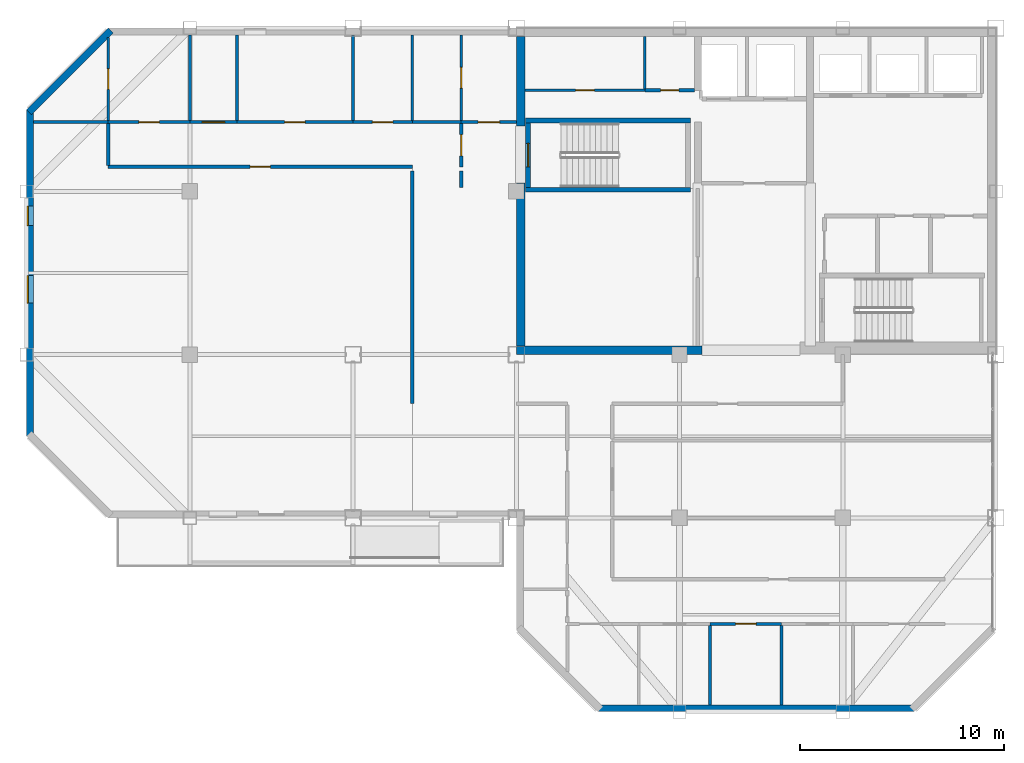
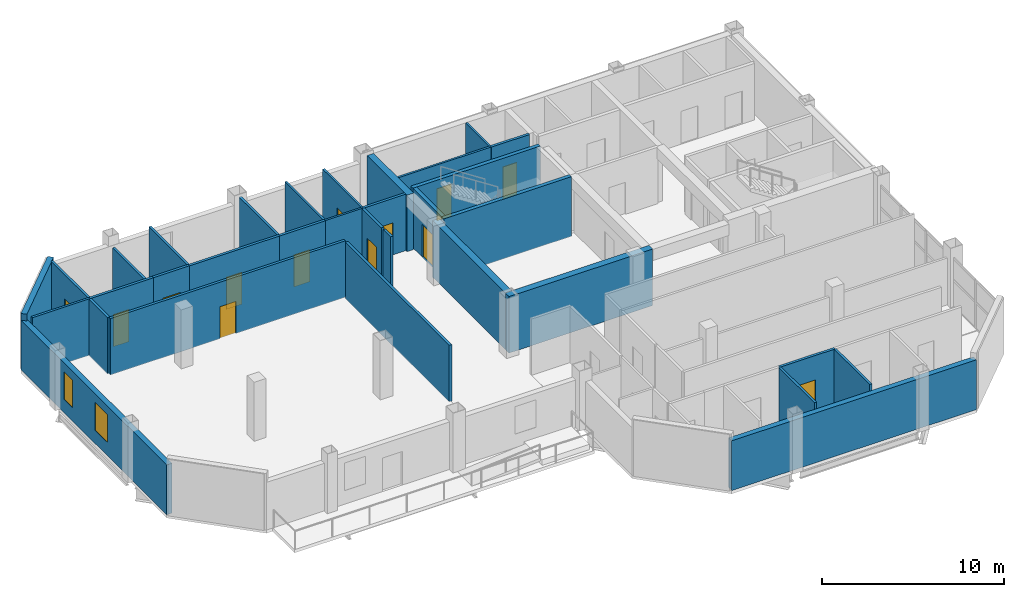
# One storey, part 8 of 13: 33 walls, 13 doors, 2 windows, 15 openings.
"""IFC4 building model written with IfcOpenShell, lengths in metres."""

from ifc_helpers import new_model, si_unit, direction, frame, frame_2d, origin, place, context, subcontext, project, spatial, rectangle, extrude, material, layer, layer_set, type_object, element, fill, save


model = new_model("IFC4")

# Units and contexts
model_context = context("Model", 3, precision=1e-05, world=origin(), true_north=direction((0.0, 1.0)))
body_context = subcontext(model_context, "Body", "Model", "MODEL_VIEW")
ifc_project = project(units=[si_unit("LENGTHUNIT", "METRE"), si_unit("AREAUNIT", "SQUARE_METRE"), si_unit("VOLUMEUNIT", "CUBIC_METRE"), si_unit("PLANEANGLEUNIT", "RADIAN"), si_unit("MASSUNIT", "GRAM", prefix="KILO")], contexts=[model_context])

# Site, building, storey
site_placement = place(None, origin())
site = spatial("IfcSite", under=ifc_project, at=site_placement, CompositionType="ELEMENT")
building_placement = place(site_placement, origin())
building = spatial("IfcBuilding", under=site, at=building_placement, Name="Qianrong Seaharbour Tower", CompositionType="ELEMENT")
storey_placement = place(building_placement, frame((0.0, 0.0, 291.199951171875)))
storey = spatial("IfcBuildingStorey", under=building, at=storey_placement, Name="L70", CompositionType="ELEMENT", Elevation=291.199951171875)

# Walls
ifc_material_1 = material(Name="Concrete C50/60", Category="concrete")
ifc_layer_1 = layer(ifc_material_1, 0.419921875)
ifc_layer_set_1 = layer_set([ifc_layer_1], Name="Concrete C50/60")
wall_type_1 = type_object("IfcWallType", Name="WALL-CORE-420", PredefinedType="SHEAR", material=ifc_layer_set_1)
wall_1_placement = place(storey_placement, frame((40.7099609375, 36.419921875, 0.0), z_axis=(0.0, 0.0, 1.0), x_axis=(0.0, 1.0, 0.0)))
element("IfcWall", 1, at=wall_1_placement, inside=storey, type_object=wall_type_1, Name="L70 West Core Shear Wall South", PredefinedType="SHEAR", context=body_context, shape_type="SweptSolid", body=[
    extrude(rectangle(XDim=7.97998046875, YDim=0.419921875, at=frame_2d((3.989990234375, 0.0))), origin(), (0.0, 0.0, 1.0), 3.78515625),
])
wall_2_placement = place(storey_placement, frame((40.7099609375, 47.199951171875, 0.0), z_axis=(0.0, 0.0, 1.0), x_axis=(0.0, 1.0, 0.0)))
element("IfcWall", 2, at=wall_2_placement, inside=storey, type_object=wall_type_1, Name="L70 West Core Shear Wall North", PredefinedType="SHEAR", context=body_context, shape_type="SweptSolid", body=[
    extrude(rectangle(XDim=4.380126953125, YDim=0.419921875, at=frame_2d((2.18994140625, 0.0))), origin(), (0.0, 0.0, 1.0), 3.78515625),
])
wall_3_placement = place(storey_placement, frame((40.5, 36.2099609375, 0.0), z_axis=(0.0, 0.0, 1.0), x_axis=(1.0, 0.0, 0.0)))
element("IfcWall", 3, at=wall_3_placement, inside=storey, type_object=wall_type_1, Name="L70 South Core Shear Wall S1", PredefinedType="SHEAR", context=body_context, shape_type="SweptSolid", body=[
    extrude(rectangle(XDim=9.10009765625, YDim=0.419921875, at=frame_2d((4.550048828125, 0.0))), origin(), (0.0, 0.0, 1.0), 3.78515625),
])

# Wall, opening, door
ifc_material_2 = material(Name="Fire-rated acoustic gypsum board partition")
ifc_layer_2 = layer(ifc_material_2, 0.1650390625)
ifc_layer_set_2 = layer_set([ifc_layer_2], Name="Fire-rated acoustic gypsum board partition")
wall_type_2 = type_object("IfcWallType", Name="WALL-CORR-PART-165", PredefinedType="PARTITIONING", material=ifc_layer_set_2)
wall_4_placement = place(storey_placement, frame((37.800048828125, 47.39990234375, 0.0), z_axis=(0.0, 0.0, 1.0), x_axis=(1.0, 0.0, 0.0)))
wall_4 = element("IfcWall", 4, at=wall_4_placement, inside=storey, type_object=wall_type_2, Name="L70 Interior Partition Wall 001", PredefinedType="PARTITIONING", context=body_context, shape_type="SweptSolid", body=[
    extrude(rectangle(XDim=2.699951171875, YDim=0.1650390625, at=frame_2d((1.35009765625, 0.0))), origin(), (0.0, 0.0, 1.0), 3.78515625),
])
opening_1_placement = place(wall_4_placement, frame((0.824951171875, 0.0, 0.0)))
opening_1 = element("IfcOpeningElement", 5, at=opening_1_placement, cuts=wall_4, Name="Opening DC-01", PredefinedType="OPENING", context=body_context, shape_type="SweptSolid", body=[
    extrude(rectangle(XDim=1.050048828125, YDim=2.14990234375, at=frame_2d((0.52490234375, 1.074951171875))), frame((0.0, 0.092529296875, 0.0), z_axis=(0.0, -1.0, 0.0), x_axis=(1.0, 0.0, 0.0)), (0.0, 0.0, 1.0), 0.18505859375),
])
ifc_material_3 = material(Name="Acoustic timber and galvanized steel fire door assembly", Category="steel")
door_type_1 = type_object("IfcDoorType", Name="DOOR-CORR-FD60-1050x2150", OperationType="NOTDEFINED", PredefinedType="DOOR", material=ifc_material_3)
door_1_placement = place(opening_1_placement, origin())
door_1 = element("IfcDoor", 6, at=door_1_placement, inside=storey, type_object=door_type_1, Name="L70 Smokeproof Stair Vestibule ST-1 Door", OperationType="SINGLE_SWING_LEFT", OverallHeight=2.14990234375, OverallWidth=1.050048828125, PredefinedType="DOOR", context=body_context, shape_type="SweptSolid", body=[
    extrude(rectangle(XDim=1.050048828125, YDim=2.14990234375, at=frame_2d((0.52490234375, 1.074951171875))), frame((0.0, 0.02490234375, 0.0), z_axis=(0.0, -1.0, 0.0), x_axis=(1.0, 0.0, 0.0)), (0.0, 0.0, 1.0), 0.050048828125),
])
fill(opening_1, door_1)

wall_5_placement = place(storey_placement, frame((37.800048828125, 45.199951171875, 0.0), z_axis=(0.0, 0.0, 1.0), x_axis=(0.0, 1.0, 0.0)))
wall_5 = element("IfcWall", 7, at=wall_5_placement, inside=storey, type_object=wall_type_2, Name="L70 Interior Partition Wall 002", PredefinedType="PARTITIONING", context=body_context, shape_type="SweptSolid", body=[
    extrude(rectangle(XDim=2.12548828125, YDim=0.1650390625, at=frame_2d((1.062744140625, 0.0))), origin(), (0.0, 0.0, 1.0), 3.78515625),
])
opening_2_placement = place(wall_5_placement, frame((0.537841796875, 0.0, 0.0)))
opening_2 = element("IfcOpeningElement", 8, at=opening_2_placement, cuts=wall_5, Name="Opening DC-01", PredefinedType="OPENING", context=body_context, shape_type="SweptSolid", body=[
    extrude(rectangle(XDim=1.050048828125, YDim=2.14990234375, at=frame_2d((0.52490234375, 1.074951171875))), frame((0.0, 0.092529296875, 0.0), z_axis=(0.0, -1.0, 0.0), x_axis=(1.0, 0.0, 0.0)), (0.0, 0.0, 1.0), 0.18505859375),
])
door_2_placement = place(opening_2_placement, origin())
door_2 = element("IfcDoor", 9, at=door_2_placement, inside=storey, type_object=door_type_1, Name="L70 Smokeproof Stair Vestibule ST-1 Door", OperationType="SINGLE_SWING_RIGHT", OverallHeight=2.14990234375, OverallWidth=1.050048828125, PredefinedType="DOOR", context=body_context, shape_type="SweptSolid", body=[
    extrude(rectangle(XDim=1.050048828125, YDim=2.14990234375, at=frame_2d((0.52490234375, 1.074951171875))), frame((0.0, 0.02490234375, 0.0), z_axis=(0.0, -1.0, 0.0), x_axis=(1.0, 0.0, 0.0)), (0.0, 0.0, 1.0), 0.050048828125),
])
fill(opening_2, door_2)

# Wall
wall_6_placement = place(storey_placement, frame((37.800048828125, 44.199951171875, 0.0), z_axis=(0.0, 0.0, 1.0), x_axis=(0.0, 1.0, 0.0)))
element("IfcWall", 10, at=wall_6_placement, inside=storey, type_object=wall_type_2, Name="L70 Interior Partition Wall 003", PredefinedType="PARTITIONING", context=body_context, shape_type="SweptSolid", body=[
    extrude(rectangle(XDim=0.800048828125, YDim=0.1650390625, at=frame_2d((0.39990234375, 0.0))), origin(), (0.0, 0.0, 1.0), 3.78515625),
])

# Wall, opening, door
wall_7_placement = place(storey_placement, frame((46.800048828125, 48.949951171875, 0.0), z_axis=(0.0, 0.0, 1.0), x_axis=(1.0, 0.0, 0.0)))
wall_7 = element("IfcWall", 11, at=wall_7_placement, inside=storey, type_object=wall_type_2, Name="L70 Interior Partition Wall 008", PredefinedType="PARTITIONING", context=body_context, shape_type="SweptSolid", body=[
    extrude(rectangle(XDim=2.432861328125, YDim=0.1650390625, at=frame_2d((1.21630859375, 0.0))), origin(), (0.0, 0.0, 1.0), 3.78515625),
])
opening_3_placement = place(wall_7_placement, frame((0.7666015625, 0.0, 0.0)))
opening_3 = element("IfcOpeningElement", 12, at=opening_3_placement, cuts=wall_7, Name="Opening DS-01", PredefinedType="OPENING", context=body_context, shape_type="SweptSolid", body=[
    extrude(rectangle(XDim=0.89990234375, YDim=2.14990234375, at=frame_2d((0.449951171875, 1.074951171875))), frame((0.0, 0.092529296875, 0.0), z_axis=(0.0, -1.0, 0.0), x_axis=(1.0, 0.0, 0.0)), (0.0, 0.0, 1.0), 0.18505859375),
])
door_type_2 = type_object("IfcDoorType", Name="DOOR-STORE-900x2150", OperationType="NOTDEFINED", PredefinedType="DOOR", material=ifc_material_3)
door_3_placement = place(opening_3_placement, origin())
door_3 = element("IfcDoor", 13, at=door_3_placement, inside=storey, type_object=door_type_2, Name="L70 Janitor Store Room Door", OperationType="SINGLE_SWING_LEFT", OverallHeight=2.14990234375, OverallWidth=0.89990234375, PredefinedType="DOOR", context=body_context, shape_type="SweptSolid", body=[
    extrude(rectangle(XDim=0.89990234375, YDim=2.14990234375, at=frame_2d((0.449951171875, 1.074951171875))), frame((0.0, 0.02490234375, 0.0), z_axis=(0.0, -1.0, 0.0), x_axis=(1.0, 0.0, 0.0)), (0.0, 0.0, 1.0), 0.050048828125),
])
fill(opening_3, door_3)

wall_8_placement = place(storey_placement, frame((35.39990234375, 45.199951171875, 0.0), z_axis=(0.0, 0.0, 1.0), x_axis=(-1.0, 0.0, 0.0)))
wall_8 = element("IfcWall", 14, at=wall_8_placement, inside=storey, type_object=wall_type_2, Name="L70 Interior Partition Wall 018", PredefinedType="PARTITIONING", context=body_context, shape_type="SweptSolid", body=[
    extrude(rectangle(XDim=14.89990234375, YDim=0.1650390625, at=frame_2d((7.449951171875, 0.0))), origin(), (0.0, 0.0, 1.0), 3.78515625),
])
opening_4_placement = place(wall_8_placement, frame((6.949951171875, 0.0, 0.0)))
opening_4 = element("IfcOpeningElement", 15, at=opening_4_placement, cuts=wall_8, Name="Opening DO-01", PredefinedType="OPENING", context=body_context, shape_type="SweptSolid", body=[
    extrude(rectangle(XDim=1.0, YDim=2.14990234375, at=frame_2d((0.5, 1.074951171875))), frame((0.0, 0.092529296875, 0.0), z_axis=(0.0, -1.0, 0.0), x_axis=(1.0, 0.0, 0.0)), (0.0, 0.0, 1.0), 0.18505859375),
])
door_type_3 = type_object("IfcDoorType", Name="DOOR-OFFICE-1000x2150", OperationType="NOTDEFINED", PredefinedType="DOOR", material=ifc_material_3)
door_4_placement = place(opening_4_placement, origin())
door_4 = element("IfcDoor", 16, at=door_4_placement, inside=storey, type_object=door_type_3, Name="L70 Open-Plan Office Door", OperationType="SINGLE_SWING_LEFT", OverallHeight=2.14990234375, OverallWidth=1.0, PredefinedType="DOOR", context=body_context, shape_type="SweptSolid", body=[
    extrude(rectangle(XDim=1.0, YDim=2.14990234375, at=frame_2d((0.5, 1.074951171875))), frame((0.0, 0.02490234375, 0.0), z_axis=(0.0, -1.0, 0.0), x_axis=(1.0, 0.0, 0.0)), (0.0, 0.0, 1.0), 0.050048828125),
])
fill(opening_4, door_4)

# Wall
wall_9_placement = place(storey_placement, frame((20.5, 45.2744140625, 0.0), z_axis=(0.0, 0.0, 1.0), x_axis=(0.0, 1.0, 0.0)))
element("IfcWall", 17, at=wall_9_placement, inside=storey, type_object=wall_type_2, Name="L70 Interior Partition Wall 019", PredefinedType="PARTITIONING", context=body_context, shape_type="SweptSolid", body=[
    extrude(rectangle(XDim=2.051025390625, YDim=0.1650390625, at=frame_2d((1.025390625, 0.0))), origin(), (0.0, 0.0, 1.0), 3.78515625),
])

# Wall, opening, door
wall_10_placement = place(storey_placement, frame((20.5, 47.39990234375, 0.0), z_axis=(0.0, 0.0, 1.0), x_axis=(1.0, 0.0, 0.0)))
wall_10 = element("IfcWall", 18, at=wall_10_placement, inside=storey, type_object=wall_type_2, Name="L70 Interior Partition Wall 020", PredefinedType="PARTITIONING", context=body_context, shape_type="SweptSolid", body=[
    extrude(rectangle(XDim=4.0, YDim=0.1650390625, at=frame_2d((2.0, 0.0))), origin(), (0.0, 0.0, 1.0), 3.78515625),
])
opening_5_placement = place(wall_10_placement, frame((1.5, 0.0, 0.0)))
opening_5 = element("IfcOpeningElement", 19, at=opening_5_placement, cuts=wall_10, Name="Opening DO-01", PredefinedType="OPENING", context=body_context, shape_type="SweptSolid", body=[
    extrude(rectangle(XDim=1.0, YDim=2.14990234375, at=frame_2d((0.5, 1.074951171875))), frame((0.0, 0.092529296875, 0.0), z_axis=(0.0, -1.0, 0.0), x_axis=(1.0, 0.0, 0.0)), (0.0, 0.0, 1.0), 0.18505859375),
])
door_5_placement = place(opening_5_placement, origin())
door_5 = element("IfcDoor", 20, at=door_5_placement, inside=storey, type_object=door_type_3, Name="L70 Focus Room 2 Door", OperationType="SINGLE_SWING_LEFT", OverallHeight=2.14990234375, OverallWidth=1.0, PredefinedType="DOOR", context=body_context, shape_type="SweptSolid", body=[
    extrude(rectangle(XDim=1.0, YDim=2.14990234375, at=frame_2d((0.5, 1.074951171875))), frame((0.0, 0.02490234375, 0.0), z_axis=(0.0, -1.0, 0.0), x_axis=(1.0, 0.0, 0.0)), (0.0, 0.0, 1.0), 0.050048828125),
])
fill(opening_5, door_5)

wall_11_placement = place(storey_placement, frame((24.5, 47.39990234375, 0.0), z_axis=(0.0, 0.0, 1.0), x_axis=(1.0, 0.0, 0.0)))
wall_11 = element("IfcWall", 21, at=wall_11_placement, inside=storey, type_object=wall_type_2, Name="L70 Interior Partition Wall 021", PredefinedType="PARTITIONING", context=body_context, shape_type="SweptSolid", body=[
    extrude(rectangle(XDim=2.300048828125, YDim=0.1650390625, at=frame_2d((1.14990234375, 0.0))), origin(), (0.0, 0.0, 1.0), 3.78515625),
])
opening_6_placement = place(wall_11_placement, frame((0.60009765625, 0.0, 0.0)))
opening_6 = element("IfcOpeningElement", 22, at=opening_6_placement, cuts=wall_11, Name="Opening DM-01", PredefinedType="OPENING", context=body_context, shape_type="SweptSolid", body=[
    extrude(rectangle(XDim=1.10009765625, YDim=2.199951171875, at=frame_2d((0.550048828125, 1.10009765625))), frame((0.0, 0.092529296875, 0.0), z_axis=(0.0, -1.0, 0.0), x_axis=(1.0, 0.0, 0.0)), (0.0, 0.0, 1.0), 0.18505859375),
])
door_type_4 = type_object("IfcDoorType", Name="DOOR-MEET-1100x2200", OperationType="NOTDEFINED", PredefinedType="DOOR", material=ifc_material_3)
door_6_placement = place(opening_6_placement, origin())
door_6 = element("IfcDoor", 23, at=door_6_placement, inside=storey, type_object=door_type_4, Name="L70 Meeting Room 3 Door", OperationType="SINGLE_SWING_RIGHT", OverallHeight=2.199951171875, OverallWidth=1.10009765625, PredefinedType="DOOR", context=body_context, shape_type="SweptSolid", body=[
    extrude(rectangle(XDim=1.10009765625, YDim=2.199951171875, at=frame_2d((0.550048828125, 1.10009765625))), frame((0.0, 0.02490234375, 0.0), z_axis=(0.0, -1.0, 0.0), x_axis=(1.0, 0.0, 0.0)), (0.0, 0.0, 1.0), 0.050048828125),
])
fill(opening_6, door_6)

wall_12_placement = place(storey_placement, frame((26.800048828125, 47.39990234375, 0.0), z_axis=(0.0, 0.0, 1.0), x_axis=(1.0, 0.0, 0.0)))
wall_12 = element("IfcWall", 24, at=wall_12_placement, inside=storey, type_object=wall_type_2, Name="L70 Interior Partition Wall 022", PredefinedType="PARTITIONING", context=body_context, shape_type="SweptSolid", body=[
    extrude(rectangle(XDim=5.699951171875, YDim=0.1650390625, at=frame_2d((2.85009765625, 0.0))), origin(), (0.0, 0.0, 1.0), 3.78515625),
])
opening_7_placement = place(wall_12_placement, frame((2.35009765625, 0.0, 0.0)))
opening_7 = element("IfcOpeningElement", 25, at=opening_7_placement, cuts=wall_12, Name="Opening DO-01", PredefinedType="OPENING", context=body_context, shape_type="SweptSolid", body=[
    extrude(rectangle(XDim=1.0, YDim=2.14990234375, at=frame_2d((0.5, 1.074951171875))), frame((0.0, 0.092529296875, 0.0), z_axis=(0.0, -1.0, 0.0), x_axis=(1.0, 0.0, 0.0)), (0.0, 0.0, 1.0), 0.18505859375),
])
door_7_placement = place(opening_7_placement, origin())
door_7 = element("IfcDoor", 26, at=door_7_placement, inside=storey, type_object=door_type_3, Name="L70 Executive Office 4 Door", OperationType="SINGLE_SWING_LEFT", OverallHeight=2.14990234375, OverallWidth=1.0, PredefinedType="DOOR", context=body_context, shape_type="SweptSolid", body=[
    extrude(rectangle(XDim=1.0, YDim=2.14990234375, at=frame_2d((0.5, 1.074951171875))), frame((0.0, 0.02490234375, 0.0), z_axis=(0.0, -1.0, 0.0), x_axis=(1.0, 0.0, 0.0)), (0.0, 0.0, 1.0), 0.050048828125),
])
fill(opening_7, door_7)

wall_13_placement = place(storey_placement, frame((32.5, 47.39990234375, 0.0), z_axis=(0.0, 0.0, 1.0), x_axis=(1.0, 0.0, 0.0)))
wall_13 = element("IfcWall", 27, at=wall_13_placement, inside=storey, type_object=wall_type_2, Name="L70 Interior Partition Wall 023", PredefinedType="PARTITIONING", context=body_context, shape_type="SweptSolid", body=[
    extrude(rectangle(XDim=2.89990234375, YDim=0.1650390625, at=frame_2d((1.449951171875, 0.0))), origin(), (0.0, 0.0, 1.0), 3.78515625),
])
opening_8_placement = place(wall_13_placement, frame((0.949951171875, 0.0, 0.0)))
opening_8 = element("IfcOpeningElement", 28, at=opening_8_placement, cuts=wall_13, Name="Opening DO-01", PredefinedType="OPENING", context=body_context, shape_type="SweptSolid", body=[
    extrude(rectangle(XDim=1.0, YDim=2.14990234375, at=frame_2d((0.5, 1.074951171875))), frame((0.0, 0.092529296875, 0.0), z_axis=(0.0, -1.0, 0.0), x_axis=(1.0, 0.0, 0.0)), (0.0, 0.0, 1.0), 0.18505859375),
])
door_8_placement = place(opening_8_placement, origin())
door_8 = element("IfcDoor", 29, at=door_8_placement, inside=storey, type_object=door_type_3, Name="L70 Executive Office 5 Door", OperationType="SINGLE_SWING_RIGHT", OverallHeight=2.14990234375, OverallWidth=1.0, PredefinedType="DOOR", context=body_context, shape_type="SweptSolid", body=[
    extrude(rectangle(XDim=1.0, YDim=2.14990234375, at=frame_2d((0.5, 1.074951171875))), frame((0.0, 0.02490234375, 0.0), z_axis=(0.0, -1.0, 0.0), x_axis=(1.0, 0.0, 0.0)), (0.0, 0.0, 1.0), 0.050048828125),
])
fill(opening_8, door_8)

# Wall
wall_14_placement = place(storey_placement, frame((35.39990234375, 33.60009765625, 0.0), z_axis=(0.0, 0.0, 1.0), x_axis=(0.0, 1.0, 0.0)))
element("IfcWall", 30, at=wall_14_placement, inside=storey, type_object=wall_type_2, Name="L70 Interior Partition Wall 024", PredefinedType="PARTITIONING", context=body_context, shape_type="SweptSolid", body=[
    extrude(rectangle(XDim=11.39990234375, YDim=0.1650390625, at=frame_2d((5.699951171875, 0.0))), origin(), (0.0, 0.0, 1.0), 3.78515625),
])

# Wall, opening, door
wall_15_placement = place(storey_placement, frame((53.5, 22.800048828125, 0.0), z_axis=(0.0, 0.0, 1.0), x_axis=(-1.0, 0.0, 0.0)))
wall_15 = element("IfcWall", 31, at=wall_15_placement, inside=storey, type_object=wall_type_2, Name="L70 Interior Partition Wall 038", PredefinedType="PARTITIONING", context=body_context, shape_type="SweptSolid", body=[
    extrude(rectangle(XDim=3.5, YDim=0.1650390625, at=frame_2d((1.75, 0.0))), origin(), (0.0, 0.0, 1.0), 3.78515625),
])
opening_9_placement = place(wall_15_placement, frame((1.25, 0.0, 0.0)))
opening_9 = element("IfcOpeningElement", 32, at=opening_9_placement, cuts=wall_15, Name="Opening DO-01", PredefinedType="OPENING", context=body_context, shape_type="SweptSolid", body=[
    extrude(rectangle(XDim=1.0, YDim=2.14990234375, at=frame_2d((0.5, 1.074951171875))), frame((0.0, 0.092529296875, 0.0), z_axis=(0.0, -1.0, 0.0), x_axis=(1.0, 0.0, 0.0)), (0.0, 0.0, 1.0), 0.18505859375),
])
door_9_placement = place(opening_9_placement, origin())
door_9 = element("IfcDoor", 33, at=door_9_placement, inside=storey, type_object=door_type_3, Name="L70 Executive Office 3 Door", OperationType="SINGLE_SWING_LEFT", OverallHeight=2.14990234375, OverallWidth=1.0, PredefinedType="DOOR", context=body_context, shape_type="SweptSolid", body=[
    extrude(rectangle(XDim=1.0, YDim=2.14990234375, at=frame_2d((0.5, 1.074951171875))), frame((0.0, 0.02490234375, 0.0), z_axis=(0.0, -1.0, 0.0), x_axis=(1.0, 0.0, 0.0)), (0.0, 0.0, 1.0), 0.050048828125),
])
fill(opening_9, door_9)

# Wall, openings, windows
ifc_material_4 = material(Name="Unitised buff brick on Precast concrete C45/55", Category="masonry")
ifc_layer_3 = layer(ifc_material_4, 0.340087890625)
ifc_layer_set_3 = layer_set([ifc_layer_3], Name="Unitised buff brick on Precast concrete C45/55")
wall_type_3 = type_object("IfcWallType", Name="WALL-EXT-BRICK-BUFF-340", PredefinedType="SOLIDWALL", material=ifc_layer_set_3)
wall_16_placement = place(storey_placement, frame((16.669921875, 32.0, 0.0), z_axis=(0.0, 0.0, 1.0), x_axis=(0.0, 1.0, 0.0)))
wall_16 = element("IfcWall", 34, at=wall_16_placement, inside=storey, type_object=wall_type_3, Name="L70 Exterior Masonry Facade Wall WEST_TIP", PredefinedType="SOLIDWALL", context=body_context, shape_type="SweptSolid", body=[
    extrude(rectangle(XDim=16.0, YDim=0.340087890625, at=frame_2d((8.0, 0.0))), origin(), (0.0, 0.0, 1.0), 3.3349609375),
])
opening_10_placement = place(wall_16_placement, frame((6.52490234375, 0.0, 0.89990234375)))
opening_10 = element("IfcOpeningElement", 35, at=opening_10_placement, cuts=wall_16, Name="Opening WN-02", PredefinedType="OPENING", context=body_context, shape_type="SweptSolid", body=[
    extrude(rectangle(XDim=1.35009765625, YDim=1.85009765625, at=frame_2d((0.675048828125, 0.925048828125))), frame((0.0, 0.18017578125, 0.0), z_axis=(0.0, -1.0, 0.0), x_axis=(1.0, 0.0, 0.0)), (0.0, 0.0, 1.0), 0.360107421875),
])
opening_11_placement = place(wall_16_placement, frame((10.324951171875, 0.0, 0.89990234375)))
opening_11 = element("IfcOpeningElement", 36, at=opening_11_placement, cuts=wall_16, Name="Opening WN-13", PredefinedType="OPENING", context=body_context, shape_type="SweptSolid", body=[
    extrude(rectangle(XDim=0.949951171875, YDim=1.85009765625, at=frame_2d((0.47509765625, 0.925048828125))), frame((0.0, 0.18017578125, 0.0), z_axis=(0.0, -1.0, 0.0), x_axis=(1.0, 0.0, 0.0)), (0.0, 0.0, 1.0), 0.360107421875),
])
ifc_material_5 = material(Name="Insulated low-e double glazing in thermally broken aluminium 6063-T6 frame", Category="aluminium")
window_type_1 = type_object("IfcWindowType", Name="WIN-NARROW-950x1850", PartitioningType="SINGLE_PANEL", PredefinedType="WINDOW", material=ifc_material_5)
window_1_placement = place(opening_11_placement, origin())
window_1 = element("IfcWindow", 37, at=window_1_placement, inside=storey, type_object=window_type_1, Name="L70 Deep-Set Punched Window 03.03", OverallHeight=1.85009765625, OverallWidth=0.949951171875, PartitioningType="SINGLE_PANEL", PredefinedType="WINDOW", context=body_context, shape_type="SweptSolid", body=[
    extrude(rectangle(XDim=0.949951171875, YDim=1.85009765625, at=frame_2d((0.47509765625, 0.925048828125))), frame((0.0, 0.150146484375, 0.0), z_axis=(0.0, -1.0, 0.0), x_axis=(1.0, 0.0, 0.0)), (0.0, 0.0, 1.0), 0.06005859375),
])
fill(opening_11, window_1)
window_type_2 = type_object("IfcWindowType", Name="WIN-PUNCH-1350x1850", PartitioningType="DOUBLE_PANEL_VERTICAL", PredefinedType="WINDOW", material=ifc_material_5)
window_2_placement = place(opening_10_placement, origin())
window_2 = element("IfcWindow", 38, at=window_2_placement, inside=storey, type_object=window_type_2, Name="L70 Deep-Set Punched Window 03.02", OverallHeight=1.85009765625, OverallWidth=1.35009765625, PartitioningType="DOUBLE_PANEL_VERTICAL", PredefinedType="WINDOW", context=body_context, shape_type="SweptSolid", body=[
    extrude(rectangle(XDim=1.35009765625, YDim=1.85009765625, at=frame_2d((0.675048828125, 0.925048828125))), frame((0.0, 0.150146484375, 0.0), z_axis=(0.0, -1.0, 0.0), x_axis=(1.0, 0.0, 0.0)), (0.0, 0.0, 1.0), 0.06005859375),
])
fill(opening_10, window_2)

# Walls
wall_17_placement = place(storey_placement, frame((16.6201171875, 47.8798828125, 0.0), z_axis=(0.0, 0.0, 1.0), x_axis=(0.707106781187, 0.707106781187, 0.0)))
element("IfcWall", 39, at=wall_17_placement, inside=storey, type_object=wall_type_3, Name="L70 Exterior Masonry Facade Wall E04", PredefinedType="SOLIDWALL", context=body_context, shape_type="SweptSolid", body=[
    extrude(rectangle(XDim=5.65673828125, YDim=0.340087890625, at=frame_2d((2.828369140625, 0.0))), origin(), (0.0, 0.0, 1.0), 3.78515625),
])
wall_18_placement = place(storey_placement, frame((60.0, 18.669921875, 0.0), z_axis=(0.0, 0.0, 1.0), x_axis=(-1.0, 0.0, 0.0)))
element("IfcWall", 40, at=wall_18_placement, inside=storey, type_object=wall_type_3, Name="L70 Exterior Masonry Facade Wall SOUTH_TIP", PredefinedType="SOLIDWALL", context=body_context, shape_type="SweptSolid", body=[
    extrude(rectangle(XDim=15.5, YDim=0.340087890625, at=frame_2d((7.75, 0.0))), origin(), (0.0, 0.0, 1.0), 3.3349609375),
])
ifc_material_6 = material(Name="Acoustic gypsum board stud partition")
ifc_layer_4 = layer(ifc_material_6, 0.14501953125)
ifc_layer_set_4 = layer_set([ifc_layer_4], Name="Acoustic gypsum board stud partition")
wall_type_4 = type_object("IfcWallType", Name="WALL-OFFICE-PART-145", PredefinedType="PARTITIONING", material=ifc_layer_set_4)
wall_19_placement = place(storey_placement, frame((16.83203125, 47.39990234375, 0.0), z_axis=(0.0, 0.0, 1.0), x_axis=(1.0, 0.0, 0.0)))
element("IfcWall", 41, at=wall_19_placement, inside=storey, type_object=wall_type_4, Name="L70 Interior Partition Wall 041", PredefinedType="PARTITIONING", context=body_context, shape_type="SweptSolid", body=[
    extrude(rectangle(XDim=3.66796875, YDim=0.14501953125, at=frame_2d((1.833984375, 0.0))), origin(), (0.0, 0.0, 1.0), 3.78515625),
])

# Wall, opening, door
wall_20_placement = place(storey_placement, frame((20.5, 51.530517578125, 0.0), z_axis=(0.0, 0.0, 1.0), x_axis=(0.0, -1.0, 0.0)))
wall_20 = element("IfcWall", 42, at=wall_20_placement, inside=storey, type_object=wall_type_4, Name="L70 Interior Partition Wall 042", PredefinedType="PARTITIONING", context=body_context, shape_type="SweptSolid", body=[
    extrude(rectangle(XDim=4.055908203125, YDim=0.14501953125, at=frame_2d((2.02783203125, 0.0))), origin(), (0.0, 0.0, 1.0), 3.78515625),
])
opening_12_placement = place(wall_20_placement, frame((1.528076171875, 0.0, 0.0)))
opening_12 = element("IfcOpeningElement", 43, at=opening_12_placement, cuts=wall_20, Name="Opening DO-01", PredefinedType="OPENING", context=body_context, shape_type="SweptSolid", body=[
    extrude(rectangle(XDim=1.0, YDim=2.14990234375, at=frame_2d((0.5, 1.074951171875))), frame((0.0, 0.08251953125, 0.0), z_axis=(0.0, -1.0, 0.0), x_axis=(1.0, 0.0, 0.0)), (0.0, 0.0, 1.0), 0.1650390625),
])
door_10_placement = place(opening_12_placement, origin())
door_10 = element("IfcDoor", 44, at=door_10_placement, inside=storey, type_object=door_type_3, Name="L70 Executive Office 1 Door", OperationType="SINGLE_SWING_RIGHT", OverallHeight=2.14990234375, OverallWidth=1.0, PredefinedType="DOOR", context=body_context, shape_type="SweptSolid", body=[
    extrude(rectangle(XDim=1.0, YDim=2.14990234375, at=frame_2d((0.5, 1.074951171875))), frame((0.0, 0.02490234375, 0.0), z_axis=(0.0, -1.0, 0.0), x_axis=(1.0, 0.0, 0.0)), (0.0, 0.0, 1.0), 0.050048828125),
])
fill(opening_12, door_10)

# Walls
wall_21_placement = place(storey_placement, frame((24.5, 51.66796875, 0.0), z_axis=(0.0, 0.0, 1.0), x_axis=(0.0, -1.0, 0.0)))
element("IfcWall", 45, at=wall_21_placement, inside=storey, type_object=wall_type_4, Name="L70 Interior Partition Wall 043", PredefinedType="PARTITIONING", context=body_context, shape_type="SweptSolid", body=[
    extrude(rectangle(XDim=4.193359375, YDim=0.14501953125, at=frame_2d((2.0966796875, 0.0))), origin(), (0.0, 0.0, 1.0), 3.177001953125),
])
for number, where, z_axis, x_axis, name in (
    (46, (26.800048828125, 51.66796875, 0.0), (0.0, 0.0, 1.0), (0.0, -1.0, 0.0), "L70 Interior Partition Wall 044"),
    (47, (32.5, 51.66796875, 0.0), (0.0, 0.0, 1.0), (0.0, -1.0, 0.0), "L70 Interior Partition Wall 045"),
):
    element("IfcWall", number, at=place(storey_placement, frame(where, z_axis=z_axis, x_axis=x_axis)), inside=storey, type_object=wall_type_4, Name=name, PredefinedType="PARTITIONING", context=body_context, shape_type="SweptSolid", body=[
        extrude(rectangle(XDim=4.193359375, YDim=0.14501953125, at=frame_2d((2.0966796875, 0.0))), origin(), (0.0, 0.0, 1.0), 3.78515625),
    ])
for number, where, z_axis, x_axis, name in (
    (48, (50.0, 22.7255859375, 0.0), (0.0, 0.0, 1.0), (0.0, -1.0, 0.0), "L70 Interior Partition Wall 052"),
    (49, (53.5, 22.7255859375, 0.0), (0.0, 0.0, 1.0), (0.0, -1.0, 0.0), "L70 Interior Partition Wall 053"),
):
    element("IfcWall", number, at=place(storey_placement, frame(where, z_axis=z_axis, x_axis=x_axis)), inside=storey, type_object=wall_type_4, Name=name, PredefinedType="PARTITIONING", context=body_context, shape_type="SweptSolid", body=[
        extrude(rectangle(XDim=3.8935546875, YDim=0.14501953125, at=frame_2d((1.94677734375, 0.0))), origin(), (0.0, 0.0, 1.0), 3.78515625),
    ])
ifc_layer_5 = layer(ifc_material_1, 0.239990234375)
ifc_layer_set_5 = layer_set([ifc_layer_5], Name="Concrete C50/60")
wall_type_5 = type_object("IfcWallType", Name="WALL-SHAFT-RC240", PredefinedType="SOLIDWALL", material=ifc_layer_set_5)
for number, where, z_axis, x_axis, name in (
    (50, (40.9599609375, 47.469970703125, 0.0), (0.0, 0.0, 1.0), (1.0, 0.0, 0.0), "L70 ST-1 Structural Stair Core Wall N"),
    (51, (49.0400390625, 44.080078125, 0.0), (0.0, 0.0, 1.0), (-1.0, 0.0, 0.0), "L70 ST-1 Structural Stair Core Wall S"),
):
    element("IfcWall", number, at=place(storey_placement, frame(where, z_axis=z_axis, x_axis=x_axis)), inside=storey, type_object=wall_type_5, Name=name, PredefinedType="SOLIDWALL", context=body_context, shape_type="SweptSolid", body=[
        extrude(rectangle(XDim=8.080078125, YDim=0.239990234375, at=frame_2d((4.0400390625, 0.0))), origin(), (0.0, 0.0, 1.0), 4.0),
    ])

# Wall, opening, door
wall_22_placement = place(storey_placement, frame((41.080078125, 47.35009765625, 0.0), z_axis=(0.0, 0.0, 1.0), x_axis=(0.0, -1.0, 0.0)))
wall_22 = element("IfcWall", 52, at=wall_22_placement, inside=storey, type_object=wall_type_5, Name="L70 ST-1 Structural Stair Core Wall W", PredefinedType="SOLIDWALL", context=body_context, shape_type="SweptSolid", body=[
    extrude(rectangle(XDim=3.150146484375, YDim=0.239990234375, at=frame_2d((1.5751953125, 0.0))), origin(), (0.0, 0.0, 1.0), 4.0),
])
opening_13_placement = place(wall_22_placement, frame((1.0, 0.0, 0.0)))
opening_13 = element("IfcOpeningElement", 53, at=opening_13_placement, cuts=wall_22, Name="Opening SD-01", PredefinedType="OPENING", context=body_context, shape_type="SweptSolid", body=[
    extrude(rectangle(XDim=1.14990234375, YDim=2.199951171875, at=frame_2d((0.574951171875, 1.10009765625))), frame((0.0, 0.1298828125, 0.0), z_axis=(0.0, -1.0, 0.0), x_axis=(1.0, 0.0, 0.0)), (0.0, 0.0, 1.0), 0.260009765625),
])
door_type_5 = type_object("IfcDoorType", Name="DOOR-STAIR-FD60-1150x2200", OperationType="NOTDEFINED", PredefinedType="DOOR", material=ifc_material_3)
door_11_placement = place(opening_13_placement, origin())
door_11 = element("IfcDoor", 54, at=door_11_placement, inside=storey, type_object=door_type_5, Name="L70 ST-1 Protected Stair Door", OperationType="SINGLE_SWING_LEFT", OverallHeight=2.199951171875, OverallWidth=1.14990234375, PredefinedType="DOOR", context=body_context, shape_type="SweptSolid", body=[
    extrude(rectangle(XDim=1.14990234375, YDim=2.199951171875, at=frame_2d((0.574951171875, 1.10009765625))), frame((0.0, 0.02490234375, 0.0), z_axis=(0.0, -1.0, 0.0), x_axis=(1.0, 0.0, 0.0)), (0.0, 0.0, 1.0), 0.050048828125),
])
fill(opening_13, door_11)

ifc_material_7 = material(Name="Water-resistant cement board sanitary partition")
ifc_layer_6 = layer(ifc_material_7, 0.1298828125)
ifc_layer_set_6 = layer_set([ifc_layer_6], Name="Water-resistant cement board sanitary partition")
wall_type_6 = type_object("IfcWallType", Name="WALL-WET-PART-130", PredefinedType="PARTITIONING", material=ifc_layer_set_6)
wall_23_placement = place(storey_placement, frame((37.800048828125, 47.474609375, 0.0), z_axis=(0.0, 0.0, 1.0), x_axis=(0.0, 1.0, 0.0)))
wall_23 = element("IfcWall", 55, at=wall_23_placement, inside=storey, type_object=wall_type_6, Name="L70 Interior Partition Wall 004", PredefinedType="PARTITIONING", context=body_context, shape_type="SweptSolid", body=[
    extrude(rectangle(XDim=4.193359375, YDim=0.1298828125, at=frame_2d((2.0966796875, 0.0))), origin(), (0.0, 0.0, 1.0), 3.78515625),
])
opening_14_placement = place(wall_23_placement, frame((1.5869140625, 0.0, 0.0)))
opening_14 = element("IfcOpeningElement", 56, at=opening_14_placement, cuts=wall_23, Name="Opening DAW-01", PredefinedType="OPENING", context=body_context, shape_type="SweptSolid", body=[
    extrude(rectangle(XDim=1.02001953125, YDim=2.14990234375, at=frame_2d((0.510009765625, 1.074951171875))), frame((0.0, 0.074951171875, 0.0), z_axis=(0.0, -1.0, 0.0), x_axis=(1.0, 0.0, 0.0)), (0.0, 0.0, 1.0), 0.14990234375),
])
door_type_6 = type_object("IfcDoorType", Name="DOOR-AWC-SLIDE-1020x2150", OperationType="SLIDING_TO_LEFT", PredefinedType="DOOR", material=ifc_material_3)
door_12_placement = place(opening_14_placement, origin())
door_12 = element("IfcDoor", 57, at=door_12_placement, inside=storey, type_object=door_type_6, Name="L70 Accessible Restroom WC Door", OperationType="SLIDING_TO_LEFT", OverallHeight=2.14990234375, OverallWidth=1.02001953125, PredefinedType="DOOR", context=body_context, shape_type="SweptSolid", body=[
    extrude(rectangle(XDim=1.02001953125, YDim=2.14990234375, at=frame_2d((0.510009765625, 1.074951171875))), frame((0.0, 0.02490234375, 0.0), z_axis=(0.0, -1.0, 0.0), x_axis=(1.0, 0.0, 0.0)), (0.0, 0.0, 1.0), 0.050048828125),
])
fill(opening_14, door_12)

# Walls
wall_24_placement = place(storey_placement, frame((37.800048828125, 47.39990234375, 0.0), z_axis=(0.0, 0.0, 1.0), x_axis=(-1.0, 0.0, 0.0)))
element("IfcWall", 58, at=wall_24_placement, inside=storey, type_object=wall_type_6, Name="L70 Interior Partition Wall 005", PredefinedType="PARTITIONING", context=body_context, shape_type="SweptSolid", body=[
    extrude(rectangle(XDim=2.400146484375, YDim=0.1298828125, at=frame_2d((1.2001953125, 0.0))), origin(), (0.0, 0.0, 1.0), 3.78515625),
])
wall_25_placement = place(storey_placement, frame((35.39990234375, 47.474609375, 0.0), z_axis=(0.0, 0.0, 1.0), x_axis=(0.0, 1.0, 0.0)))
element("IfcWall", 59, at=wall_25_placement, inside=storey, type_object=wall_type_6, Name="L70 Interior Partition Wall 006", PredefinedType="PARTITIONING", context=body_context, shape_type="SweptSolid", body=[
    extrude(rectangle(XDim=4.193359375, YDim=0.1298828125, at=frame_2d((2.0966796875, 0.0))), origin(), (0.0, 0.0, 1.0), 3.78515625),
])

# Wall, opening, door
wall_26_placement = place(storey_placement, frame((40.919921875, 48.949951171875, 0.0), z_axis=(0.0, 0.0, 1.0), x_axis=(1.0, 0.0, 0.0)))
wall_26 = element("IfcWall", 60, at=wall_26_placement, inside=storey, type_object=wall_type_6, Name="L70 Interior Partition Wall 007", PredefinedType="PARTITIONING", context=body_context, shape_type="SweptSolid", body=[
    extrude(rectangle(XDim=5.880126953125, YDim=0.1298828125, at=frame_2d((2.93994140625, 0.0))), origin(), (0.0, 0.0, 1.0), 3.78515625),
])
opening_15_placement = place(wall_26_placement, frame((2.47998046875, 0.0, 0.0)))
opening_15 = element("IfcOpeningElement", 61, at=opening_15_placement, cuts=wall_26, Name="Opening DW-01", PredefinedType="OPENING", context=body_context, shape_type="SweptSolid", body=[
    extrude(rectangle(XDim=0.919921875, YDim=2.14990234375, at=frame_2d((0.4599609375, 1.074951171875))), frame((0.0, 0.074951171875, 0.0), z_axis=(0.0, -1.0, 0.0), x_axis=(1.0, 0.0, 0.0)), (0.0, 0.0, 1.0), 0.14990234375),
])
door_type_7 = type_object("IfcDoorType", Name="DOOR-WC-920x2150", OperationType="NOTDEFINED", PredefinedType="DOOR", material=ifc_material_3)
door_13_placement = place(opening_15_placement, origin())
door_13 = element("IfcDoor", 62, at=door_13_placement, inside=storey, type_object=door_type_7, Name="L70 Restroom WC Suite Door", OperationType="SINGLE_SWING_RIGHT", OverallHeight=2.14990234375, OverallWidth=0.919921875, PredefinedType="DOOR", context=body_context, shape_type="SweptSolid", body=[
    extrude(rectangle(XDim=0.919921875, YDim=2.14990234375, at=frame_2d((0.4599609375, 1.074951171875))), frame((0.0, 0.02490234375, 0.0), z_axis=(0.0, -1.0, 0.0), x_axis=(1.0, 0.0, 0.0)), (0.0, 0.0, 1.0), 0.050048828125),
])
fill(opening_15, door_13)

# Wall
wall_27_placement = place(storey_placement, frame((46.800048828125, 51.580078125, 0.0), z_axis=(0.0, 0.0, 1.0), x_axis=(0.0, -1.0, 0.0)))
element("IfcWall", 63, at=wall_27_placement, inside=storey, type_object=wall_type_6, Name="L70 Interior Partition Wall 015", PredefinedType="PARTITIONING", context=body_context, shape_type="SweptSolid", body=[
    extrude(rectangle(XDim=2.5556640625, YDim=0.1298828125, at=frame_2d((1.27783203125, 0.0))), origin(), (0.0, 0.0, 1.0), 3.78515625),
])

save(model, "model.ifc")
